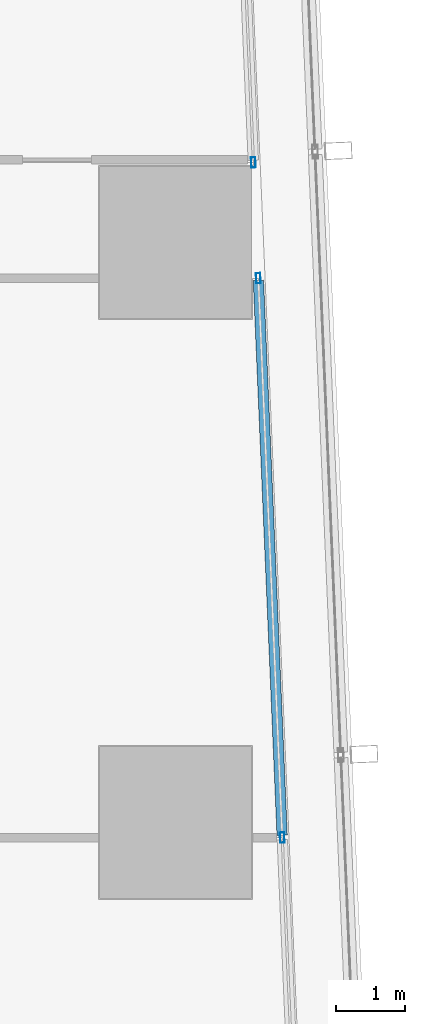
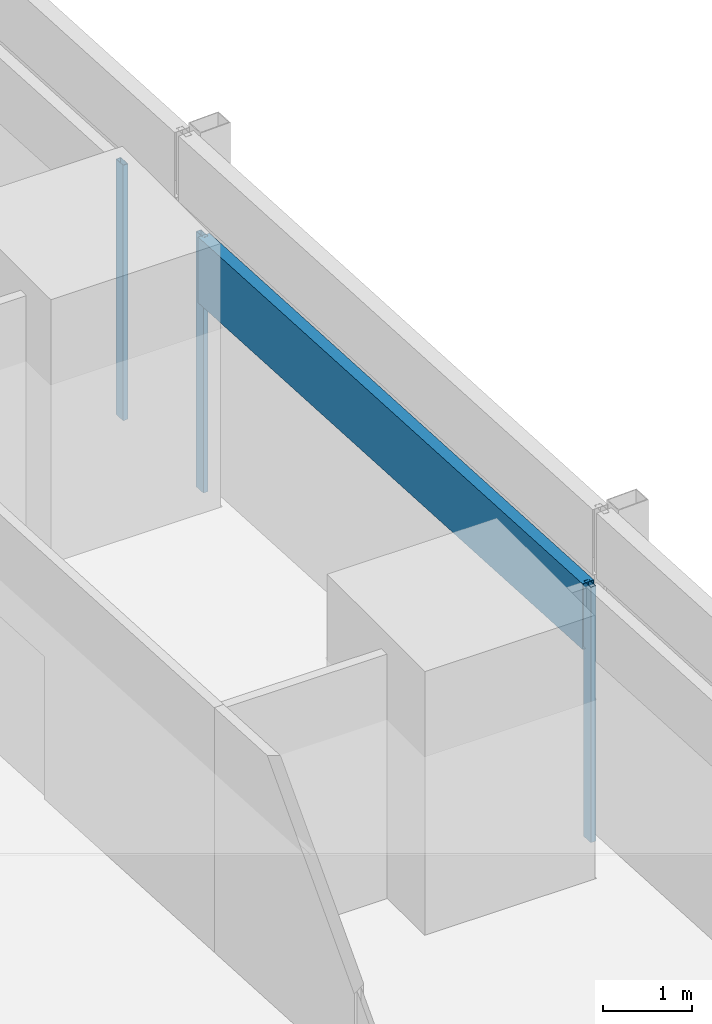
# One storey, part 20 of 44: 4 members, 2 elements without a shape of their own.
"""IFC4 building model written with IfcOpenShell, lengths in metres."""

import ifcopenshell
import ifcopenshell.guid

model = None  # the IFC model being written
_history = None  # IfcOwnerHistory: only IFC2X3 demands one
_inside = {}  # id of a spatial element -> (the spatial element, [elements in it])
_under = {}  # id of a project, library or spatial element -> (it, [spatial elements below it])
_declared = {}  # id of a project -> (the project, [libraries it declares])
_typed = {}  # id of a type object -> (the type object, [elements of that type])
_made_of = {}  # id of a material, layer set ... -> (it, [elements and type objects made of it])


def new_model(schema):
    """Start an empty IFC model of exactly this schema.

    Asked for "IFC4X3", IfcOpenShell would pick the latest addendum, in which some entities
    have other attributes; the version numbers below select the first issue.
    IFC2X3 requires an IfcOwnerHistory on every rooted entity: one is made here for all.
    """
    global model, _history
    if schema == "IFC4X3":
        model = ifcopenshell.file(schema_version=(4, 3, 0, 0))
    else:
        model = ifcopenshell.file(schema=schema)
    _inside.clear()
    _under.clear()
    _declared.clear()
    _typed.clear()
    _made_of.clear()
    _history = None
    if model.schema == "IFC2X3":
        org = make("IfcOrganization", Name="unknown")
        user = make(
            "IfcPersonAndOrganization",
            ThePerson=make("IfcPerson", FamilyName="unknown"),
            TheOrganization=org,
        )
        app = make(
            "IfcApplication",
            ApplicationDeveloper=org,
            Version="unknown",
            ApplicationFullName="unknown",
            ApplicationIdentifier="unknown",
        )
        _history = make(
            "IfcOwnerHistory",
            OwningUser=user,
            OwningApplication=app,
            ChangeAction="ADDED",
            CreationDate=0,
        )
    return model


def make(cls, **values):
    """One entity of the class cls with the attributes given. An attribute that is None is left unset."""
    return model.create_entity(
        cls, **{name: value for name, value in values.items() if value is not None}
    )


def rooted(cls, **values):
    """An entity with a GlobalId (a new one), such as an element, a storey or a relation."""
    return make(cls, GlobalId=ifcopenshell.guid.new(), OwnerHistory=_history, **values)


def si_unit(unit_type, name, prefix=None):
    """IfcSIUnit, for example si_unit("LENGTHUNIT", "METRE", prefix="MILLI")."""
    return make("IfcSIUnit", UnitType=unit_type, Prefix=prefix, Name=name)


def assignment(units):
    """IfcUnitAssignment: the units of a project."""
    return None if units is None else make("IfcUnitAssignment", Units=units)


def point(xyz):
    """IfcCartesianPoint."""
    return None if xyz is None else make("IfcCartesianPoint", Coordinates=xyz)


def direction(xyz):
    """IfcDirection."""
    return None if xyz is None else make("IfcDirection", DirectionRatios=xyz)


def frame(location, z_axis=None, x_axis=None):
    """IfcAxis2Placement3D, a coordinate frame: its origin and axes. An axis left out is left unset."""
    return make(
        "IfcAxis2Placement3D",
        Location=point(location),
        Axis=direction(z_axis),
        RefDirection=direction(x_axis),
    )


def frame_2d(location, x_axis=None):
    """IfcAxis2Placement2D, a coordinate frame in the plane: its origin and x axis."""
    return make(
        "IfcAxis2Placement2D", Location=point(location), RefDirection=direction(x_axis)
    )


def origin():
    """The frame at (0, 0, 0) with its axes left unset."""
    return frame((0.0, 0.0, 0.0))


def origin_2d():
    """The frame at (0, 0) in the plane with its x axis left unset."""
    return frame_2d((0.0, 0.0))


def place(relative_to, where):
    """IfcLocalPlacement: puts the frame where relative to a parent placement (None: the world)."""
    return make(
        "IfcLocalPlacement", PlacementRelTo=relative_to, RelativePlacement=where
    )


def context(
    kind, dimensions, precision=None, world=None, true_north=None, identifier=None
):
    """IfcGeometricRepresentationContext, for example the 3D "Model" context."""
    return make(
        "IfcGeometricRepresentationContext",
        ContextIdentifier=identifier,
        ContextType=kind,
        CoordinateSpaceDimension=dimensions,
        Precision=precision,
        WorldCoordinateSystem=world,
        TrueNorth=true_north,
    )


def subcontext(parent, identifier, kind, view, scale=None):
    """IfcGeometricRepresentationSubContext, for example "Body" below "Model"."""
    return make(
        "IfcGeometricRepresentationSubContext",
        ContextIdentifier=identifier,
        ContextType=kind,
        ParentContext=parent,
        TargetScale=scale,
        TargetView=view,
    )


def project(units=None, contexts=None):
    """IfcProject with its units and contexts."""
    return rooted(
        "IfcProject",
        Name="project",
        RepresentationContexts=contexts,
        UnitsInContext=assignment(units),
    )


def spatial(cls, under=None, at=None, **own):
    """A site, building, storey or space (cls), placed at a placement, below another one or the project."""
    s = rooted(cls, ObjectPlacement=at, **own)
    if under is not None:
        _under.setdefault(under.id(), (under, []))[1].append(s)
    return s


def profile(cls, at=None, kind="AREA", **sizes):
    """A parametric profile (cls). Its sizes go by their IFC names, for example OverallWidth=200.0."""
    return make(cls, ProfileType=kind, Position=at, **sizes)


def hollow_rectangle(**sizes):
    """IfcRectangleHollowProfileDef."""
    return profile("IfcRectangleHollowProfileDef", **sizes)


def extrude(swept, where, along, depth):
    """IfcExtrudedAreaSolid: the profile swept, set in the frame where, extruded along a direction by depth."""
    return make(
        "IfcExtrudedAreaSolid",
        SweptArea=swept,
        Position=where,
        ExtrudedDirection=direction(along),
        Depth=depth,
    )


def shape(context_of_items, identifier, shape_type, items):
    """IfcShapeRepresentation: the items that make up one representation, for example the "Body"."""
    return make(
        "IfcShapeRepresentation",
        ContextOfItems=context_of_items,
        RepresentationIdentifier=identifier,
        RepresentationType=shape_type,
        Items=items,
    )


def material(Name=None, Category=None):
    """IfcMaterial."""
    return make("IfcMaterial", Name=Name, Category=Category)


def material_profile(
    of_material, cross_section, Name=None, Category=None, Priority=None
):
    """IfcMaterialProfile: a cross section and its material."""
    return make(
        "IfcMaterialProfile",
        Name=Name,
        Material=of_material,
        Profile=cross_section,
        Priority=Priority,
        Category=Category,
    )


def profile_set(profiles, Name=None, composite=None):
    """IfcMaterialProfileSet."""
    return make(
        "IfcMaterialProfileSet",
        Name=Name,
        MaterialProfiles=profiles,
        CompositeProfile=composite,
    )


def made_of(thing, what):
    """Note that an element or type object is made of a material, layer set ...; save() writes the relation."""
    if what is not None:
        _made_of.setdefault(what.id(), (what, []))[1].append(thing)
    return thing


def type_object(cls, material=None, **own):
    """A type object (cls), such as IfcWallType, which elements share."""
    return made_of(rooted(cls, **own), material)


def element(
    cls,
    number,
    at=None,
    inside=None,
    cuts=None,
    type_object=None,
    material=None,
    context=None,
    identifier="Body",
    shape_type=None,
    held_by="IfcProductDefinitionShape",
    body=None,
    shapes=None,
    **own,
):
    """One element of the class cls, such as IfcWall. Its Tag is "e" and its number.

    at: its placement. inside: the storey or other place that contains it. cuts: it is an
    opening in that element (IfcRelVoidsElement). A single representation is given by context,
    identifier, shape_type and body (its items); several are given by shapes. held_by: the class
    of the entity that holds the representations. save() writes the other relations.
    """
    e = rooted(cls, Tag="e%d" % number, ObjectPlacement=at, **own)
    if body is not None:
        shapes = [shape(context, identifier, shape_type, body)]
    if shapes is not None:
        e.Representation = make(held_by, Representations=shapes)
    if inside is not None:
        _inside.setdefault(inside.id(), (inside, []))[1].append(e)
    if cuts is not None:
        rooted(
            "IfcRelVoidsElement", RelatingBuildingElement=cuts, RelatedOpeningElement=e
        )
    if type_object is not None:
        _typed.setdefault(type_object.id(), (type_object, []))[1].append(e)
    return made_of(e, material)


def aggregate(whole, parts):
    """IfcRelAggregates: a whole, such as a stair, and the parts it consists of."""
    return rooted("IfcRelAggregates", RelatingObject=whole, RelatedObjects=parts)


def save(model, path):
    """Write the relations noted so far, then the file.

    IfcRelAggregates (storeys below a building ...), IfcRelContainedInSpatialStructure (elements
    in a storey), IfcRelDefinesByType, IfcRelAssociatesMaterial and IfcRelDeclares: one each for
    every whole, place, type object, material and project.
    """
    for whole, parts in _under.values():
        aggregate(whole, parts)
    for where, things in _inside.values():
        rooted(
            "IfcRelContainedInSpatialStructure",
            RelatedElements=things,
            RelatingStructure=where,
        )
    for kind, things in _typed.values():
        rooted("IfcRelDefinesByType", RelatedObjects=things, RelatingType=kind)
    for what, things in _made_of.values():
        rooted("IfcRelAssociatesMaterial", RelatedObjects=things, RelatingMaterial=what)
    for by, libraries in _declared.values():
        rooted("IfcRelDeclares", RelatingContext=by, RelatedDefinitions=libraries)
    model.write(path)


model = new_model("IFC4")

# Units and contexts
model_context = context("Model", 3, precision=1e-05, world=origin(), true_north=direction((0.0, 1.0)))
body_context = subcontext(model_context, "Body", "Model", "MODEL_VIEW")
ifc_project = project(units=[si_unit("LENGTHUNIT", "METRE"), si_unit("AREAUNIT", "SQUARE_METRE"), si_unit("VOLUMEUNIT", "CUBIC_METRE"), si_unit("PLANEANGLEUNIT", "RADIAN"), si_unit("MASSUNIT", "GRAM", prefix="KILO")], contexts=[model_context])

# Site, building, storey
site_placement = place(None, origin())
site = spatial("IfcSite", under=ifc_project, at=site_placement, CompositionType="ELEMENT")
building_placement = place(site_placement, origin())
building = spatial("IfcBuilding", under=site, at=building_placement, Name="Rekha Terrace Tower", CompositionType="ELEMENT")
storey_placement = place(building_placement, frame((0.0, 0.0, 47.89990234375)))
storey = spatial("IfcBuildingStorey", under=building, at=storey_placement, Name="L11", CompositionType="ELEMENT", Elevation=47.89990234375)

# Curtain wall, members
ifc_material_1 = material(Name="Aluminium framing", Category="aluminium")
curtain_wall_type = type_object("IfcCurtainWallType", Name="CW1 double skin inner glazing", PredefinedType="USERDEFINED", material=ifc_material_1)
curtain_wall_1_placement = place(storey_placement, origin())
curtain_wall_1 = element("IfcCurtainWall", 1, at=curtain_wall_1_placement, inside=storey, type_object=curtain_wall_type, Name="CW1 double skin inner glazing", ObjectType="DOUBLE SKIN INNER GLAZING", PredefinedType="USERDEFINED")
ifc_material_2 = material(Name="Aluminium mullion section", Category="aluminium")
ifc_material_profile_1 = material_profile(ifc_material_2, hollow_rectangle(XDim=0.06494140625, YDim=0.14990234375, WallThickness=0.00390625, at=origin_2d()), Name="AL RHS 65x150")
ifc_profile_set_1 = profile_set([ifc_material_profile_1], Name="Aluminium mullion section")
member_type_1 = type_object("IfcMemberType", Name="CW1 mullion RHS 65 x 150", PredefinedType="MULLION", material=ifc_profile_set_1)
member_1_placement = place(storey_placement, frame((68.7431640625, 41.781494140625, 0.0), z_axis=(0.0, 0.0, 1.0), x_axis=(-0.999088106904, -0.042696072921, 0.0)))
member_1 = element("IfcMember", 2, at=member_1_placement, type_object=member_type_1, Name="CW1 mullion 3", PredefinedType="MULLION", context=body_context, shape_type="SweptSolid", body=[
    extrude(hollow_rectangle(XDim=0.06494140625, YDim=0.14990234375, WallThickness=0.00390625, at=origin_2d()), origin(), (0.0, 0.0, 1.0), 3.5),
])
member_2_placement = place(storey_placement, frame((68.397216796875, 49.8798828125, 0.0), z_axis=(0.0, 0.0, 1.0), x_axis=(-0.999088106904, -0.042696072921, 0.0)))
member_2 = element("IfcMember", 3, at=member_2_placement, type_object=member_type_1, Name="CW1 mullion 4", PredefinedType="MULLION", context=body_context, shape_type="SweptSolid", body=[
    extrude(hollow_rectangle(XDim=0.06494140625, YDim=0.14990234375, WallThickness=0.00390625, at=origin_2d()), origin(), (0.0, 0.0, 1.0), 3.5),
])

# Curtain wall, member
curtain_wall_2_placement = place(storey_placement, origin())
curtain_wall_2 = element("IfcCurtainWall", 4, at=curtain_wall_2_placement, inside=storey, type_object=curtain_wall_type, Name="CW1 double skin inner glazing", ObjectType="DOUBLE SKIN INNER GLAZING", PredefinedType="USERDEFINED")
member_3_placement = place(storey_placement, frame((68.325439453125, 51.556396484375, 0.0), z_axis=(0.0, 0.0, 1.0), x_axis=(-0.9990881069, -0.042696073026, 0.0)))
member_3 = element("IfcMember", 5, at=member_3_placement, type_object=member_type_1, Name="CW1 mullion 1", PredefinedType="MULLION", context=body_context, shape_type="SweptSolid", body=[
    extrude(hollow_rectangle(XDim=0.06494140625, YDim=0.14990234375, WallThickness=0.00390625, at=origin_2d()), origin(), (0.0, 0.0, 1.0), 3.5),
])
aggregate(curtain_wall_2, [member_3])

# Member
ifc_material_3 = material(Name="Insulated aluminium spandrel box", Category="aluminium")
ifc_material_profile_2 = material_profile(ifc_material_3, hollow_rectangle(XDim=0.14990234375, YDim=0.89990234375, WallThickness=0.0029296875, at=origin_2d()), Name="AL SPANDREL BOX 150x900")
ifc_profile_set_2 = profile_set([ifc_material_profile_2], Name="Insulated aluminium spandrel box")
member_type_2 = type_object("IfcMemberType", Name="CW1 spandrel transom 150 x 900", PredefinedType="USERDEFINED", material=ifc_profile_set_2)
member_4_placement = place(storey_placement, frame((68.741943359375, 41.81396484375, 3.050048828125), z_axis=(-0.042720422486, 0.999087066027, 0.0), x_axis=(-0.999087066027, -0.042720422486, 0.0)))
member_4 = element("IfcMember", 6, at=member_4_placement, type_object=member_type_2, Name="CW1 spandrel transom 3", ObjectType="TRANSOM", PredefinedType="USERDEFINED", context=body_context, shape_type="SweptSolid", body=[
    extrude(hollow_rectangle(XDim=0.14990234375, YDim=0.89990234375, WallThickness=0.0029296875, at=origin_2d()), origin(), (0.0, 0.0, 1.0), 8.040771484375),
])

aggregate(curtain_wall_1, [member_1, member_2, member_4])

save(model, "model.ifc")
